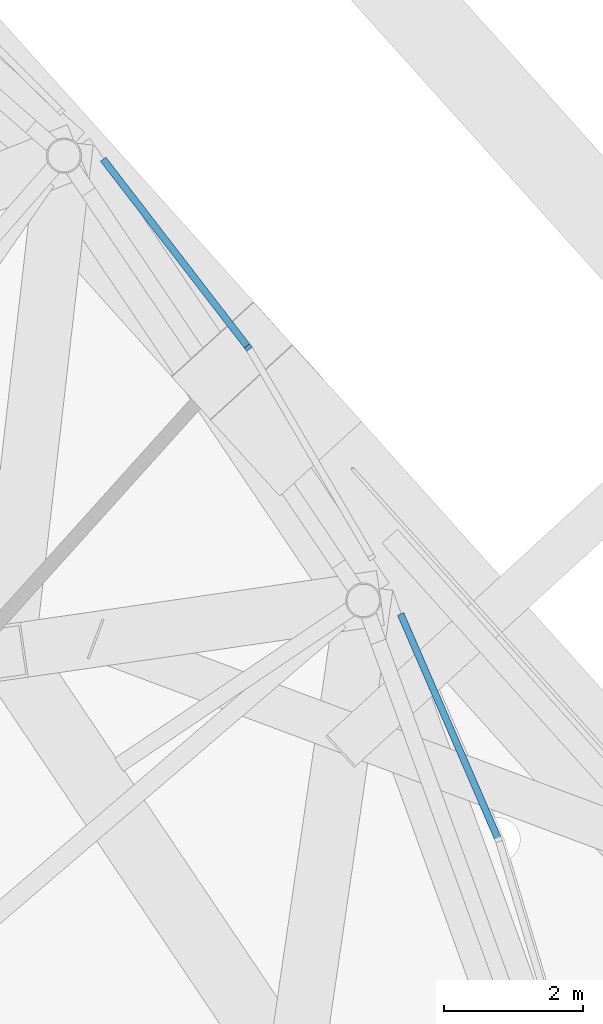
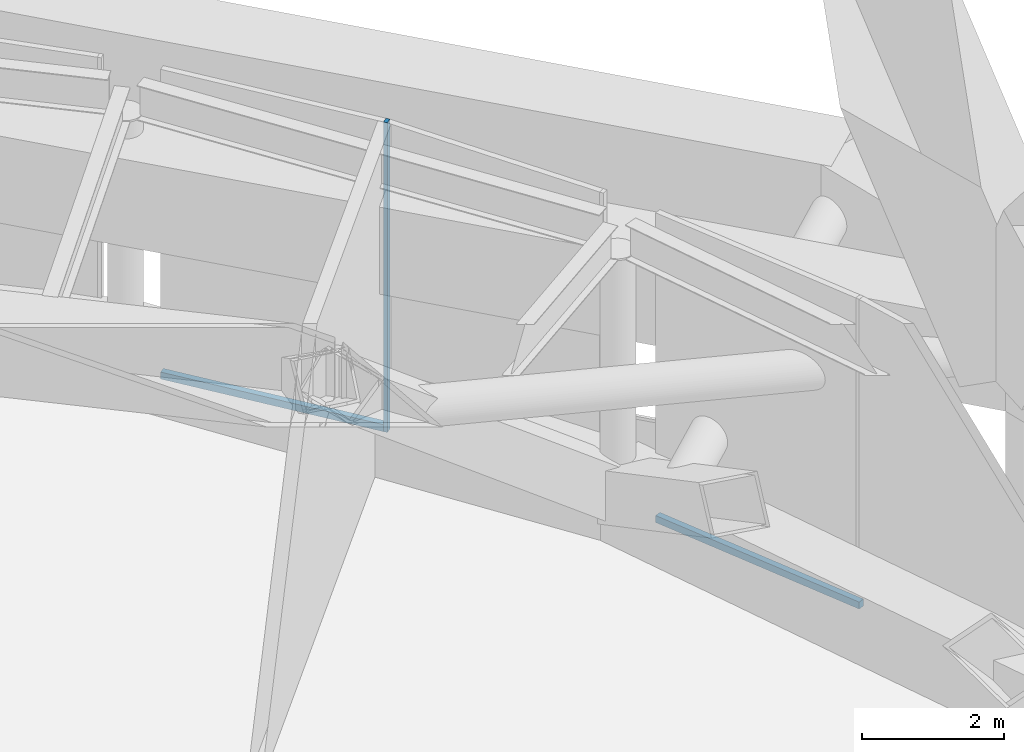
# One storey, part 36 of 65: 3 members, 2 elements without a shape of their own.
"""IFC4 building model written with IfcOpenShell, lengths in metres."""

import ifcopenshell
import ifcopenshell.guid

model = None  # the IFC model being written
_history = None  # IfcOwnerHistory: only IFC2X3 demands one
_inside = {}  # id of a spatial element -> (the spatial element, [elements in it])
_under = {}  # id of a project, library or spatial element -> (it, [spatial elements below it])
_declared = {}  # id of a project -> (the project, [libraries it declares])
_typed = {}  # id of a type object -> (the type object, [elements of that type])
_made_of = {}  # id of a material, layer set ... -> (it, [elements and type objects made of it])


def new_model(schema):
    """Start an empty IFC model of exactly this schema.

    Asked for "IFC4X3", IfcOpenShell would pick the latest addendum, in which some entities
    have other attributes; the version numbers below select the first issue.
    IFC2X3 requires an IfcOwnerHistory on every rooted entity: one is made here for all.
    """
    global model, _history
    if schema == "IFC4X3":
        model = ifcopenshell.file(schema_version=(4, 3, 0, 0))
    else:
        model = ifcopenshell.file(schema=schema)
    _inside.clear()
    _under.clear()
    _declared.clear()
    _typed.clear()
    _made_of.clear()
    _history = None
    if model.schema == "IFC2X3":
        org = make("IfcOrganization", Name="unknown")
        user = make(
            "IfcPersonAndOrganization",
            ThePerson=make("IfcPerson", FamilyName="unknown"),
            TheOrganization=org,
        )
        app = make(
            "IfcApplication",
            ApplicationDeveloper=org,
            Version="unknown",
            ApplicationFullName="unknown",
            ApplicationIdentifier="unknown",
        )
        _history = make(
            "IfcOwnerHistory",
            OwningUser=user,
            OwningApplication=app,
            ChangeAction="ADDED",
            CreationDate=0,
        )
    return model


def make(cls, **values):
    """One entity of the class cls with the attributes given. An attribute that is None is left unset."""
    return model.create_entity(
        cls, **{name: value for name, value in values.items() if value is not None}
    )


def rooted(cls, **values):
    """An entity with a GlobalId (a new one), such as an element, a storey or a relation."""
    return make(cls, GlobalId=ifcopenshell.guid.new(), OwnerHistory=_history, **values)


def si_unit(unit_type, name, prefix=None):
    """IfcSIUnit, for example si_unit("LENGTHUNIT", "METRE", prefix="MILLI")."""
    return make("IfcSIUnit", UnitType=unit_type, Prefix=prefix, Name=name)


def assignment(units):
    """IfcUnitAssignment: the units of a project."""
    return None if units is None else make("IfcUnitAssignment", Units=units)


def point(xyz):
    """IfcCartesianPoint."""
    return None if xyz is None else make("IfcCartesianPoint", Coordinates=xyz)


def direction(xyz):
    """IfcDirection."""
    return None if xyz is None else make("IfcDirection", DirectionRatios=xyz)


def frame(location, z_axis=None, x_axis=None):
    """IfcAxis2Placement3D, a coordinate frame: its origin and axes. An axis left out is left unset."""
    return make(
        "IfcAxis2Placement3D",
        Location=point(location),
        Axis=direction(z_axis),
        RefDirection=direction(x_axis),
    )


def frame_2d(location, x_axis=None):
    """IfcAxis2Placement2D, a coordinate frame in the plane: its origin and x axis."""
    return make(
        "IfcAxis2Placement2D", Location=point(location), RefDirection=direction(x_axis)
    )


def origin():
    """The frame at (0, 0, 0) with its axes left unset."""
    return frame((0.0, 0.0, 0.0))


def origin_2d():
    """The frame at (0, 0) in the plane with its x axis left unset."""
    return frame_2d((0.0, 0.0))


def place(relative_to, where):
    """IfcLocalPlacement: puts the frame where relative to a parent placement (None: the world)."""
    return make(
        "IfcLocalPlacement", PlacementRelTo=relative_to, RelativePlacement=where
    )


def context(
    kind, dimensions, precision=None, world=None, true_north=None, identifier=None
):
    """IfcGeometricRepresentationContext, for example the 3D "Model" context."""
    return make(
        "IfcGeometricRepresentationContext",
        ContextIdentifier=identifier,
        ContextType=kind,
        CoordinateSpaceDimension=dimensions,
        Precision=precision,
        WorldCoordinateSystem=world,
        TrueNorth=true_north,
    )


def subcontext(parent, identifier, kind, view, scale=None):
    """IfcGeometricRepresentationSubContext, for example "Body" below "Model"."""
    return make(
        "IfcGeometricRepresentationSubContext",
        ContextIdentifier=identifier,
        ContextType=kind,
        ParentContext=parent,
        TargetScale=scale,
        TargetView=view,
    )


def project(units=None, contexts=None):
    """IfcProject with its units and contexts."""
    return rooted(
        "IfcProject",
        Name="project",
        RepresentationContexts=contexts,
        UnitsInContext=assignment(units),
    )


def spatial(cls, under=None, at=None, **own):
    """A site, building, storey or space (cls), placed at a placement, below another one or the project."""
    s = rooted(cls, ObjectPlacement=at, **own)
    if under is not None:
        _under.setdefault(under.id(), (under, []))[1].append(s)
    return s


def profile(cls, at=None, kind="AREA", **sizes):
    """A parametric profile (cls). Its sizes go by their IFC names, for example OverallWidth=200.0."""
    return make(cls, ProfileType=kind, Position=at, **sizes)


def rectangle(**sizes):
    """IfcRectangleProfileDef."""
    return profile("IfcRectangleProfileDef", **sizes)


def extrude(swept, where, along, depth):
    """IfcExtrudedAreaSolid: the profile swept, set in the frame where, extruded along a direction by depth."""
    return make(
        "IfcExtrudedAreaSolid",
        SweptArea=swept,
        Position=where,
        ExtrudedDirection=direction(along),
        Depth=depth,
    )


def shape(context_of_items, identifier, shape_type, items):
    """IfcShapeRepresentation: the items that make up one representation, for example the "Body"."""
    return make(
        "IfcShapeRepresentation",
        ContextOfItems=context_of_items,
        RepresentationIdentifier=identifier,
        RepresentationType=shape_type,
        Items=items,
    )


def material(Name=None, Category=None):
    """IfcMaterial."""
    return make("IfcMaterial", Name=Name, Category=Category)


def layer(
    of_material, thickness, ventilated=None, Name=None, Category=None, Priority=None
):
    """IfcMaterialLayer: one layer of a wall or slab, of a material (None: an air gap)."""
    return make(
        "IfcMaterialLayer",
        Material=of_material,
        LayerThickness=thickness,
        IsVentilated=ventilated,
        Name=Name,
        Category=Category,
        Priority=Priority,
    )


def layer_set(layers, Name=None):
    """IfcMaterialLayerSet."""
    return make("IfcMaterialLayerSet", MaterialLayers=layers, LayerSetName=Name)


def material_profile(
    of_material, cross_section, Name=None, Category=None, Priority=None
):
    """IfcMaterialProfile: a cross section and its material."""
    return make(
        "IfcMaterialProfile",
        Name=Name,
        Material=of_material,
        Profile=cross_section,
        Priority=Priority,
        Category=Category,
    )


def profile_set(profiles, Name=None, composite=None):
    """IfcMaterialProfileSet."""
    return make(
        "IfcMaterialProfileSet",
        Name=Name,
        MaterialProfiles=profiles,
        CompositeProfile=composite,
    )


def made_of(thing, what):
    """Note that an element or type object is made of a material, layer set ...; save() writes the relation."""
    if what is not None:
        _made_of.setdefault(what.id(), (what, []))[1].append(thing)
    return thing


def type_object(cls, material=None, **own):
    """A type object (cls), such as IfcWallType, which elements share."""
    return made_of(rooted(cls, **own), material)


def element(
    cls,
    number,
    at=None,
    inside=None,
    cuts=None,
    type_object=None,
    material=None,
    context=None,
    identifier="Body",
    shape_type=None,
    held_by="IfcProductDefinitionShape",
    body=None,
    shapes=None,
    **own,
):
    """One element of the class cls, such as IfcWall. Its Tag is "e" and its number.

    at: its placement. inside: the storey or other place that contains it. cuts: it is an
    opening in that element (IfcRelVoidsElement). A single representation is given by context,
    identifier, shape_type and body (its items); several are given by shapes. held_by: the class
    of the entity that holds the representations. save() writes the other relations.
    """
    e = rooted(cls, Tag="e%d" % number, ObjectPlacement=at, **own)
    if body is not None:
        shapes = [shape(context, identifier, shape_type, body)]
    if shapes is not None:
        e.Representation = make(held_by, Representations=shapes)
    if inside is not None:
        _inside.setdefault(inside.id(), (inside, []))[1].append(e)
    if cuts is not None:
        rooted(
            "IfcRelVoidsElement", RelatingBuildingElement=cuts, RelatedOpeningElement=e
        )
    if type_object is not None:
        _typed.setdefault(type_object.id(), (type_object, []))[1].append(e)
    return made_of(e, material)


def aggregate(whole, parts):
    """IfcRelAggregates: a whole, such as a stair, and the parts it consists of."""
    return rooted("IfcRelAggregates", RelatingObject=whole, RelatedObjects=parts)


def save(model, path):
    """Write the relations noted so far, then the file.

    IfcRelAggregates (storeys below a building ...), IfcRelContainedInSpatialStructure (elements
    in a storey), IfcRelDefinesByType, IfcRelAssociatesMaterial and IfcRelDeclares: one each for
    every whole, place, type object, material and project.
    """
    for whole, parts in _under.values():
        aggregate(whole, parts)
    for where, things in _inside.values():
        rooted(
            "IfcRelContainedInSpatialStructure",
            RelatedElements=things,
            RelatingStructure=where,
        )
    for kind, things in _typed.values():
        rooted("IfcRelDefinesByType", RelatedObjects=things, RelatingType=kind)
    for what, things in _made_of.values():
        rooted("IfcRelAssociatesMaterial", RelatedObjects=things, RelatingMaterial=what)
    for by, libraries in _declared.values():
        rooted("IfcRelDeclares", RelatingContext=by, RelatedDefinitions=libraries)
    model.write(path)


model = new_model("IFC4")

# Units and contexts
model_context = context("Model", 3, precision=1e-05, world=origin(), true_north=direction((0.0, 1.0)))
body_context = subcontext(model_context, "Body", "Model", "MODEL_VIEW")
ifc_project = project(units=[si_unit("LENGTHUNIT", "METRE"), si_unit("AREAUNIT", "SQUARE_METRE"), si_unit("VOLUMEUNIT", "CUBIC_METRE"), si_unit("PLANEANGLEUNIT", "RADIAN"), si_unit("MASSUNIT", "GRAM", prefix="KILO")], contexts=[model_context])

# Site, building, storey
site_placement = place(None, origin())
site = spatial("IfcSite", under=ifc_project, at=site_placement, CompositionType="ELEMENT")
building_placement = place(site_placement, origin())
building = spatial("IfcBuilding", under=site, at=building_placement, Name="Nagisa Residences", CompositionType="ELEMENT")
storey_placement = place(building_placement, frame((0.0, 0.0, 114.0)))
storey = spatial("IfcBuildingStorey", under=building, at=storey_placement, Name="L28", CompositionType="ELEMENT", Elevation=114.0)

# Curtain wall, member
ifc_material_1 = material(Name="Aluminium curtain wall system", Category="aluminium")
ifc_layer = layer(ifc_material_1, 0.159912109375)
ifc_layer_set = layer_set([ifc_layer], Name="CW5 CURTAIN WALL")
curtain_wall_type = type_object("IfcCurtainWallType", Name="CW5 CURTAIN WALL", PredefinedType="NOTDEFINED", material=ifc_layer_set)
curtain_wall_1_placement = place(storey_placement, origin())
curtain_wall_1 = element("IfcCurtainWall", 1, at=curtain_wall_1_placement, inside=storey, type_object=curtain_wall_type, Name="cw:CW5:L28:05", PredefinedType="NOTDEFINED")
ifc_material_2 = material(Name="Aluminium", Category="aluminium")
ifc_material_profile_1 = material_profile(ifc_material_2, rectangle(XDim=0.10009765625, YDim=0.06005859375, at=origin_2d()), Name="CW5 MULLION 100x60")
ifc_profile_set_1 = profile_set([ifc_material_profile_1], Name="Aluminium")
member_type_1 = type_object("IfcMemberType", Name="CW5 MULLION 100x60", PredefinedType="MULLION", material=ifc_profile_set_1)
member_1_placement = place(storey_placement, frame((20.09033203125, 22.27783203125, 0.0), z_axis=(0.0, 0.0, 1.0), x_axis=(-0.792070340816, -0.610429828235, 0.0)))
member_1 = element("IfcMember", 2, at=member_1_placement, type_object=member_type_1, Name="CW5 mullion", PredefinedType="MULLION", context=body_context, shape_type="SweptSolid", body=[
    extrude(rectangle(XDim=0.10009765625, YDim=0.06005859375, at=origin_2d()), origin(), (0.0, 0.0, 1.0), 5.340087890625),
])

curtain_wall_2_placement = place(storey_placement, origin())
curtain_wall_2 = element("IfcCurtainWall", 3, at=curtain_wall_2_placement, inside=storey, type_object=curtain_wall_type, Name="cw:CW5:L28:03", PredefinedType="NOTDEFINED")
ifc_material_3 = material(Name="Aluminium", Category="aluminium")
ifc_material_profile_2 = material_profile(ifc_material_3, rectangle(XDim=0.10009765625, YDim=0.1201171875, at=origin_2d()), Name="CW5 TRANSOM 100x120")
ifc_profile_set_2 = profile_set([ifc_material_profile_2], Name="Aluminium")
member_type_2 = type_object("IfcMemberType", Name="CW5 TRANSOM 100x120", PredefinedType="USERDEFINED", material=ifc_profile_set_2)
member_2_placement = place(storey_placement, frame((23.71337890625, 15.146240234375, 0.06005859375), z_axis=(-0.397653377128, 0.91753571683, 0.0), x_axis=(-0.91753571683, -0.397653377128, 0.0)))
member_2 = element("IfcMember", 4, at=member_2_placement, type_object=member_type_2, Name="CW5 transom", ObjectType="TRANSOM", PredefinedType="USERDEFINED", context=body_context, shape_type="SweptSolid", body=[
    extrude(rectangle(XDim=0.10009765625, YDim=0.1201171875, at=origin_2d()), origin(), (0.0, 0.0, 1.0), 3.579345703125),
])
aggregate(curtain_wall_2, [member_2])

# Member
member_3_placement = place(storey_placement, frame((20.108642578125, 22.25390625, 0.06005859375), z_axis=(-0.610449816604, 0.792054935852, 0.0), x_axis=(-0.792054935852, -0.610449816604, 0.0)))
member_3 = element("IfcMember", 5, at=member_3_placement, type_object=member_type_2, Name="CW5 transom", ObjectType="TRANSOM", PredefinedType="USERDEFINED", context=body_context, shape_type="SweptSolid", body=[
    extrude(rectangle(XDim=0.10009765625, YDim=0.1201171875, at=origin_2d()), origin(), (0.0, 0.0, 1.0), 3.463134765625),
])

aggregate(curtain_wall_1, [member_1, member_3])

save(model, "model.ifc")
